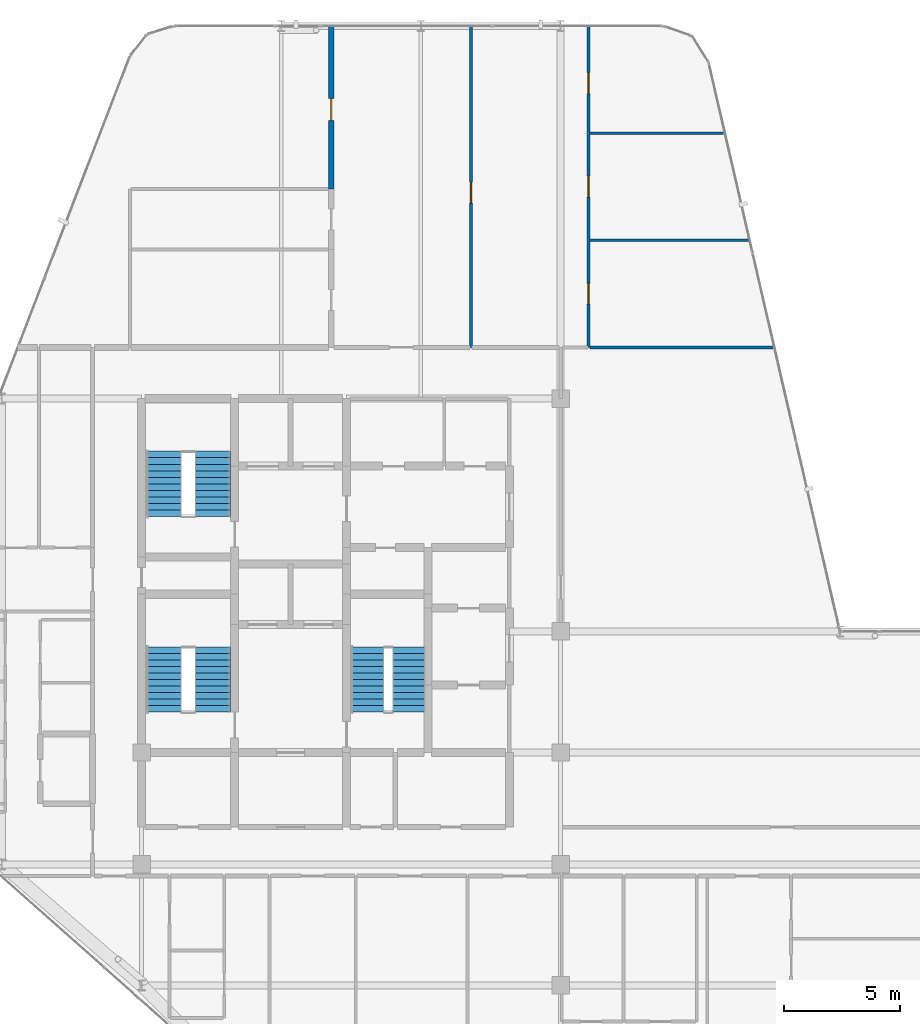
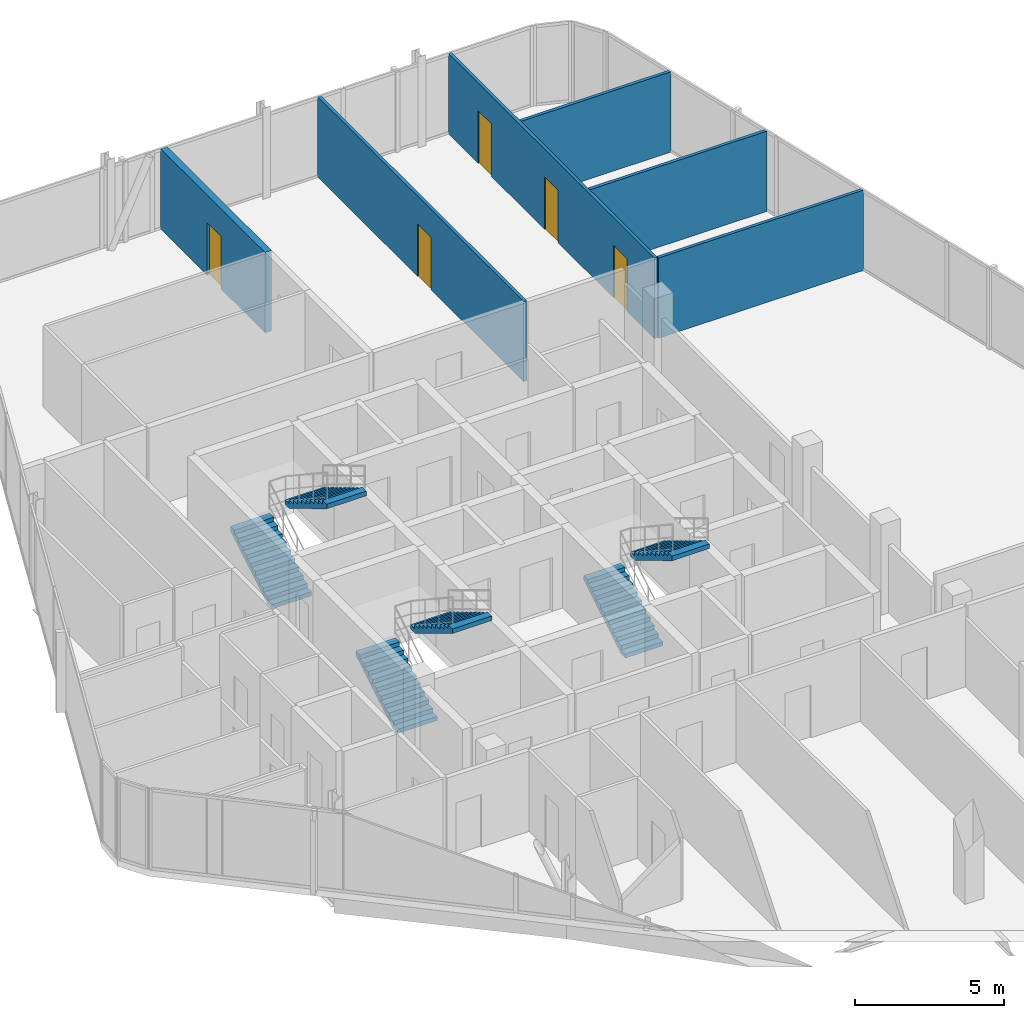
# One storey, part 27 of 28: 6 stair flights, 6 walls, 5 doors, 5 openings, 3 elements without a shape of their own.
"""IFC4 building model written with IfcOpenShell, lengths in metres."""

from ifc_helpers import new_model, si_unit, direction, frame, frame_2d, origin, place, context, subcontext, project, spatial, polyline, rectangle, outline, extrude, material, layer, layer_set, type_object, element, fill, aggregate, save


model = new_model("IFC4")

# Units and contexts
model_context = context("Model", 3, precision=1e-05, world=origin(), true_north=direction((0.0, 1.0)))
body_context = subcontext(model_context, "Body", "Model", "MODEL_VIEW")
ifc_project = project(units=[si_unit("LENGTHUNIT", "METRE"), si_unit("AREAUNIT", "SQUARE_METRE"), si_unit("VOLUMEUNIT", "CUBIC_METRE"), si_unit("PLANEANGLEUNIT", "RADIAN"), si_unit("MASSUNIT", "GRAM", prefix="KILO")], contexts=[model_context])

# Site, building, storey
site_placement = place(None, origin())
site = spatial("IfcSite", under=ifc_project, at=site_placement, CompositionType="ELEMENT")
building_placement = place(site_placement, origin())
building = spatial("IfcBuilding", under=site, at=building_placement, Name="Keshet Zoharim Tower", CompositionType="ELEMENT")
storey_placement = place(building_placement, frame((0.0, 0.0, 233.89990234375)))
storey = spatial("IfcBuildingStorey", under=building, at=storey_placement, Name="L58", CompositionType="ELEMENT", Elevation=233.89990234375)

# Wall, opening, door
ifc_material_1 = material(Name="Concrete C50/60", Category="concrete")
ifc_layer_1 = layer(ifc_material_1, 0.25)
ifc_layer_set_1 = layer_set([ifc_layer_1], Name="Concrete C50/60")
wall_type_1 = type_object("IfcWallType", Name="WL-MAMAD-250", PredefinedType="STANDARD", material=ifc_layer_set_1)
wall_1_placement = place(storey_placement, frame((23.14990234375, 46.89990234375, 0.0), z_axis=(0.0, 0.0, 1.0), x_axis=(0.0, 1.0, 0.0)))
wall_1 = element("IfcWall", 1, at=wall_1_placement, inside=storey, type_object=wall_type_1, Name="L58 Interior Wall 036", PredefinedType="STANDARD", context=body_context, shape_type="SweptSolid", body=[
    extrude(rectangle(XDim=6.989990234375, YDim=0.25, at=frame_2d((3.4951171875, 0.0))), origin(), (0.0, 0.0, 1.0), 3.280029296875),
])
opening_1_placement = place(wall_1_placement, frame((2.948974609375, 0.0, 0.0)))
opening_1 = element("IfcOpeningElement", 2, at=opening_1_placement, cuts=wall_1, Name="Opening D-F695", PredefinedType="OPENING", context=body_context, shape_type="SweptSolid", body=[
    extrude(rectangle(XDim=0.949951171875, YDim=2.14990234375, at=frame_2d((0.47509765625, 1.074951171875))), frame((0.0, 0.135009765625, 0.0), z_axis=(0.0, -1.0, 0.0), x_axis=(1.0, 0.0, 0.0)), (0.0, 0.0, 1.0), 0.27001953125),
])
ifc_material_2 = material(Name="Hardwood Timber", Category="wood")
door_type_1 = type_object("IfcDoorType", Name="DR-FD60-095", OperationType="NOTDEFINED", PredefinedType="DOOR", material=ifc_material_2)
door_1_placement = place(opening_1_placement, origin())
door_1 = element("IfcDoor", 3, at=door_1_placement, inside=storey, type_object=door_type_1, Name="Apartment 5805 Study and Shelter Room Door", OperationType="SINGLE_SWING_LEFT", OverallHeight=2.14990234375, OverallWidth=0.949951171875, PredefinedType="DOOR", context=body_context, shape_type="SweptSolid", body=[
    extrude(rectangle(XDim=0.949951171875, YDim=2.14990234375, at=frame_2d((0.47509765625, 1.074951171875))), frame((0.0, 0.02490234375, 0.0), z_axis=(0.0, -1.0, 0.0), x_axis=(1.0, 0.0, 0.0)), (0.0, 0.0, 1.0), 0.050048828125),
])
fill(opening_1, door_1)

ifc_material_3 = material(Name="Gypsum Plasterboard", Category="gypsum")
ifc_layer_2 = layer(ifc_material_3, 0.1201171875)
ifc_layer_set_2 = layer_set([ifc_layer_2], Name="Gypsum Plasterboard")
wall_type_2 = type_object("IfcWallType", Name="WL-PART-120", PredefinedType="PARTITIONING", material=ifc_layer_set_2)
wall_2_placement = place(storey_placement, frame((29.14990234375, 40.10009765625, 0.0), z_axis=(0.0, 0.0, 1.0), x_axis=(0.0, 1.0, 0.0)))
wall_2 = element("IfcWall", 4, at=wall_2_placement, inside=storey, type_object=wall_type_2, Name="L58 Interior Wall 052", PredefinedType="PARTITIONING", context=body_context, shape_type="SweptSolid", body=[
    extrude(rectangle(XDim=13.789794921875, YDim=0.1201171875, at=frame_2d((6.89501953125, 0.0))), origin(), (0.0, 0.0, 1.0), 3.280029296875),
])
opening_2_placement = place(wall_2_placement, frame((6.199951171875, 0.0, 0.0)))
opening_2 = element("IfcOpeningElement", 5, at=opening_2_placement, cuts=wall_2, Name="Opening D-IN90", PredefinedType="OPENING", context=body_context, shape_type="SweptSolid", body=[
    extrude(rectangle(XDim=0.89990234375, YDim=2.14990234375, at=frame_2d((0.449951171875, 1.074951171875))), frame((0.0, 0.070068359375, 0.0), z_axis=(0.0, -1.0, 0.0), x_axis=(1.0, 0.0, 0.0)), (0.0, 0.0, 1.0), 0.14013671875),
])
door_type_2 = type_object("IfcDoorType", Name="DR-INT-090", OperationType="NOTDEFINED", PredefinedType="DOOR", material=ifc_material_2)
door_2_placement = place(opening_2_placement, origin())
door_2 = element("IfcDoor", 6, at=door_2_placement, inside=storey, type_object=door_type_2, Name="Apartment 5805 Formal Dining Room Door", OperationType="SINGLE_SWING_RIGHT", OverallHeight=2.14990234375, OverallWidth=0.89990234375, PredefinedType="DOOR", context=body_context, shape_type="SweptSolid", body=[
    extrude(rectangle(XDim=0.89990234375, YDim=2.14990234375, at=frame_2d((0.449951171875, 1.074951171875))), frame((0.0, 0.02490234375, 0.0), z_axis=(0.0, -1.0, 0.0), x_axis=(1.0, 0.0, 0.0)), (0.0, 0.0, 1.0), 0.050048828125),
])
fill(opening_2, door_2)

# Wall, openings, doors
wall_3_placement = place(storey_placement, frame((34.199951171875, 40.10009765625, 0.0), z_axis=(0.0, 0.0, 1.0), x_axis=(0.0, 1.0, 0.0)))
wall_3 = element("IfcWall", 7, at=wall_3_placement, inside=storey, type_object=wall_type_2, Name="L58 Interior Wall 063", PredefinedType="PARTITIONING", context=body_context, shape_type="SweptSolid", body=[
    extrude(rectangle(XDim=13.789794921875, YDim=0.1201171875, at=frame_2d((6.89501953125, 0.0))), origin(), (0.0, 0.0, 1.0), 3.280029296875),
])
opening_3_placement = place(wall_3_placement, frame((1.85205078125, 0.0, 0.0)))
opening_3 = element("IfcOpeningElement", 8, at=opening_3_placement, cuts=wall_3, Name="Opening D-IN90", PredefinedType="OPENING", context=body_context, shape_type="SweptSolid", body=[
    extrude(rectangle(XDim=0.89990234375, YDim=2.14990234375, at=frame_2d((0.449951171875, 1.074951171875))), frame((0.0, 0.070068359375, 0.0), z_axis=(0.0, -1.0, 0.0), x_axis=(1.0, 0.0, 0.0)), (0.0, 0.0, 1.0), 0.14013671875),
])
opening_4_placement = place(wall_3_placement, frame((6.449951171875, 0.0, 0.0)))
opening_4 = element("IfcOpeningElement", 9, at=opening_4_placement, cuts=wall_3, Name="Opening D-IN90", PredefinedType="OPENING", context=body_context, shape_type="SweptSolid", body=[
    extrude(rectangle(XDim=0.89990234375, YDim=2.14990234375, at=frame_2d((0.449951171875, 1.074951171875))), frame((0.0, 0.070068359375, 0.0), z_axis=(0.0, -1.0, 0.0), x_axis=(1.0, 0.0, 0.0)), (0.0, 0.0, 1.0), 0.14013671875),
])
opening_5_placement = place(wall_3_placement, frame((10.89794921875, 0.0, 0.0)))
opening_5 = element("IfcOpeningElement", 10, at=opening_5_placement, cuts=wall_3, Name="Opening D-IN90", PredefinedType="OPENING", context=body_context, shape_type="SweptSolid", body=[
    extrude(rectangle(XDim=0.89990234375, YDim=2.14990234375, at=frame_2d((0.449951171875, 1.074951171875))), frame((0.0, 0.070068359375, 0.0), z_axis=(0.0, -1.0, 0.0), x_axis=(1.0, 0.0, 0.0)), (0.0, 0.0, 1.0), 0.14013671875),
])
door_3_placement = place(opening_3_placement, origin())
door_3 = element("IfcDoor", 11, at=door_3_placement, inside=storey, type_object=door_type_2, Name="Apartment 5805 Bedroom 1 Door", OperationType="SINGLE_SWING_RIGHT", OverallHeight=2.14990234375, OverallWidth=0.89990234375, PredefinedType="DOOR", context=body_context, shape_type="SweptSolid", body=[
    extrude(rectangle(XDim=0.89990234375, YDim=2.14990234375, at=frame_2d((0.449951171875, 1.074951171875))), frame((0.0, 0.02490234375, 0.0), z_axis=(0.0, -1.0, 0.0), x_axis=(1.0, 0.0, 0.0)), (0.0, 0.0, 1.0), 0.050048828125),
])
fill(opening_3, door_3)
door_4_placement = place(opening_4_placement, origin())
door_4 = element("IfcDoor", 12, at=door_4_placement, inside=storey, type_object=door_type_2, Name="Apartment 5805 Bedroom 2 Door", OperationType="SINGLE_SWING_LEFT", OverallHeight=2.14990234375, OverallWidth=0.89990234375, PredefinedType="DOOR", context=body_context, shape_type="SweptSolid", body=[
    extrude(rectangle(XDim=0.89990234375, YDim=2.14990234375, at=frame_2d((0.449951171875, 1.074951171875))), frame((0.0, 0.02490234375, 0.0), z_axis=(0.0, -1.0, 0.0), x_axis=(1.0, 0.0, 0.0)), (0.0, 0.0, 1.0), 0.050048828125),
])
fill(opening_4, door_4)
door_5_placement = place(opening_5_placement, origin())
door_5 = element("IfcDoor", 13, at=door_5_placement, inside=storey, type_object=door_type_2, Name="Apartment 5805 Bedroom 3 Door", OperationType="SINGLE_SWING_RIGHT", OverallHeight=2.14990234375, OverallWidth=0.89990234375, PredefinedType="DOOR", context=body_context, shape_type="SweptSolid", body=[
    extrude(rectangle(XDim=0.89990234375, YDim=2.14990234375, at=frame_2d((0.449951171875, 1.074951171875))), frame((0.0, 0.02490234375, 0.0), z_axis=(0.0, -1.0, 0.0), x_axis=(1.0, 0.0, 0.0)), (0.0, 0.0, 1.0), 0.050048828125),
])
fill(opening_5, door_5)

# Walls
wall_4_placement = place(storey_placement, frame((34.264892578125, 40.10009765625, 0.0), z_axis=(0.0, 0.0, 1.0), x_axis=(1.0, 0.0, 0.0)))
element("IfcWall", 14, at=wall_4_placement, inside=storey, type_object=wall_type_2, Name="L58 Interior Wall 153", PredefinedType="PARTITIONING", context=body_context, shape_type="SweptSolid", body=[
    extrude(rectangle(XDim=7.91015625, YDim=0.1201171875, at=frame_2d((3.955078125, 0.0))), origin(), (0.0, 0.0, 1.0), 3.280029296875),
])
wall_5_placement = place(storey_placement, frame((34.264892578125, 44.699951171875, 0.0), z_axis=(0.0, 0.0, 1.0), x_axis=(1.0, 0.0, 0.0)))
element("IfcWall", 15, at=wall_5_placement, inside=storey, type_object=wall_type_2, Name="L58 Interior Wall 155", PredefinedType="PARTITIONING", context=body_context, shape_type="SweptSolid", body=[
    extrude(rectangle(XDim=6.84814453125, YDim=0.1201171875, at=frame_2d((3.424072265625, 0.0))), origin(), (0.0, 0.0, 1.0), 3.280029296875),
])
wall_6_placement = place(storey_placement, frame((34.264892578125, 49.300048828125, 0.0), z_axis=(0.0, 0.0, 1.0), x_axis=(1.0, 0.0, 0.0)))
element("IfcWall", 16, at=wall_6_placement, inside=storey, type_object=wall_type_2, Name="L58 Interior Wall 157", PredefinedType="PARTITIONING", context=body_context, shape_type="SweptSolid", body=[
    extrude(rectangle(XDim=5.787109375, YDim=0.1201171875, at=frame_2d((2.8935546875, 0.0))), origin(), (0.0, 0.0, 1.0), 3.280029296875),
])

# Stair, stair flights
stair_type = type_object("IfcStairType", Name="STR-EXIT-135", PredefinedType="HALF_TURN_STAIR", material=ifc_material_1)
stair_1_placement = place(storey_placement, origin())
stair_1 = element("IfcStair", 17, at=stair_1_placement, inside=storey, type_object=stair_type, Name="L58 Enclosed Exit Stair ST-01", PredefinedType="HALF_TURN_STAIR")
stair_flight_type_1 = type_object("IfcStairFlightType", Name="FLT-PRE-135", PredefinedType="STRAIGHT", material=ifc_material_1)
stair_flight_1_placement = place(storey_placement, frame((15.945068359375, 24.43994140625, 0.0), z_axis=(0.0, 0.0, 1.0), x_axis=(0.0, 1.0, 0.0)))
stair_flight_1 = element("IfcStairFlight", 18, at=stair_flight_1_placement, type_object=stair_flight_type_1, Name="ST-01 flight 1", NumberOfRisers=11, NumberOfTreads=10, PredefinedType="STRAIGHT", RiserHeight=0.168182, TreadLength=0.28, context=body_context, shape_type="SweptSolid", body=[
    extrude(outline(polyline([(0.0, 0.0), (0.0, 0.168212890625), (0.280029296875, 0.168212890625), (0.280029296875, 0.33642578125), (0.56005859375, 0.33642578125), (0.56005859375, 0.504638671875), (0.840087890625, 0.504638671875), (0.840087890625, 0.672607421875), (1.1201171875, 0.672607421875), (1.1201171875, 0.8408203125), (1.39990234375, 0.8408203125), (1.39990234375, 1.009033203125), (1.679931640625, 1.009033203125), (1.679931640625, 1.17724609375), (1.9599609375, 1.17724609375), (1.9599609375, 1.345458984375), (2.239990234375, 1.345458984375), (2.239990234375, 1.513671875), (2.52001953125, 1.513671875), (2.52001953125, 1.681884765625), (2.800048828125, 1.681884765625), (2.800048828125, 1.85009765625), (2.800048828125, 1.495361328125), (0.310546875, 0.0), (0.0, 0.0)])), frame((0.0, 0.76513671875, 0.0), z_axis=(0.0, -1.0, 0.0), x_axis=(1.0, 0.0, 0.0)), (0.0, 0.0, 1.0), 1.530029296875),
])
stair_flight_2_placement = place(storey_placement, frame((18.054931640625, 27.239990234375, 1.85009765625), z_axis=(0.0, 0.0, 1.0), x_axis=(0.0, -1.0, 0.0)))
stair_flight_2 = element("IfcStairFlight", 19, at=stair_flight_2_placement, type_object=stair_flight_type_1, Name="ST-01 flight 2", NumberOfRisers=11, NumberOfTreads=10, PredefinedType="STRAIGHT", RiserHeight=0.168182, TreadLength=0.28, context=body_context, shape_type="SweptSolid", body=[
    extrude(outline(polyline([(0.0, 0.0), (0.0, 0.168212890625), (0.280029296875, 0.168212890625), (0.280029296875, 0.33642578125), (0.56005859375, 0.33642578125), (0.56005859375, 0.504638671875), (0.840087890625, 0.504638671875), (0.840087890625, 0.672607421875), (1.1201171875, 0.672607421875), (1.1201171875, 0.8408203125), (1.39990234375, 0.8408203125), (1.39990234375, 1.009033203125), (1.679931640625, 1.009033203125), (1.679931640625, 1.17724609375), (1.9599609375, 1.17724609375), (1.9599609375, 1.345458984375), (2.239990234375, 1.345458984375), (2.239990234375, 1.513671875), (2.52001953125, 1.513671875), (2.52001953125, 1.681884765625), (2.800048828125, 1.681884765625), (2.800048828125, 1.85009765625), (2.800048828125, 1.495361328125), (0.310546875, 0.0), (0.0, 0.0)])), frame((0.0, 0.76513671875, 0.0), z_axis=(0.0, -1.0, 0.0), x_axis=(1.0, 0.0, 0.0)), (0.0, 0.0, 1.0), 1.530029296875),
])
aggregate(stair_1, [stair_flight_1, stair_flight_2])

stair_2_placement = place(storey_placement, origin())
stair_2 = element("IfcStair", 20, at=stair_2_placement, inside=storey, type_object=stair_type, Name="L58 Enclosed Exit Stair ST-02", PredefinedType="HALF_TURN_STAIR")
stair_flight_3_placement = place(storey_placement, frame((15.945068359375, 32.840087890625, 0.0), z_axis=(0.0, 0.0, 1.0), x_axis=(0.0, 1.0, 0.0)))
stair_flight_3 = element("IfcStairFlight", 21, at=stair_flight_3_placement, type_object=stair_flight_type_1, Name="ST-02 flight 1", NumberOfRisers=11, NumberOfTreads=10, PredefinedType="STRAIGHT", RiserHeight=0.168182, TreadLength=0.28, context=body_context, shape_type="SweptSolid", body=[
    extrude(outline(polyline([(0.0, 0.0), (0.0, 0.168212890625), (0.280029296875, 0.168212890625), (0.280029296875, 0.33642578125), (0.56005859375, 0.33642578125), (0.56005859375, 0.504638671875), (0.840087890625, 0.504638671875), (0.840087890625, 0.672607421875), (1.1201171875, 0.672607421875), (1.1201171875, 0.8408203125), (1.39990234375, 0.8408203125), (1.39990234375, 1.009033203125), (1.679931640625, 1.009033203125), (1.679931640625, 1.17724609375), (1.9599609375, 1.17724609375), (1.9599609375, 1.345458984375), (2.239990234375, 1.345458984375), (2.239990234375, 1.513671875), (2.52001953125, 1.513671875), (2.52001953125, 1.681884765625), (2.800048828125, 1.681884765625), (2.800048828125, 1.85009765625), (2.800048828125, 1.495361328125), (0.310546875, 0.0), (0.0, 0.0)])), frame((0.0, 0.76513671875, 0.0), z_axis=(0.0, -1.0, 0.0), x_axis=(1.0, 0.0, 0.0)), (0.0, 0.0, 1.0), 1.530029296875),
])
stair_flight_4_placement = place(storey_placement, frame((18.054931640625, 35.639892578125, 1.85009765625), z_axis=(0.0, 0.0, 1.0), x_axis=(0.0, -1.0, 0.0)))
stair_flight_4 = element("IfcStairFlight", 22, at=stair_flight_4_placement, type_object=stair_flight_type_1, Name="ST-02 flight 2", NumberOfRisers=11, NumberOfTreads=10, PredefinedType="STRAIGHT", RiserHeight=0.168182, TreadLength=0.28, context=body_context, shape_type="SweptSolid", body=[
    extrude(outline(polyline([(0.0, 0.0), (0.0, 0.168212890625), (0.280029296875, 0.168212890625), (0.280029296875, 0.33642578125), (0.56005859375, 0.33642578125), (0.56005859375, 0.504638671875), (0.840087890625, 0.504638671875), (0.840087890625, 0.672607421875), (1.1201171875, 0.672607421875), (1.1201171875, 0.8408203125), (1.39990234375, 0.8408203125), (1.39990234375, 1.009033203125), (1.679931640625, 1.009033203125), (1.679931640625, 1.17724609375), (1.9599609375, 1.17724609375), (1.9599609375, 1.345458984375), (2.239990234375, 1.345458984375), (2.239990234375, 1.513671875), (2.52001953125, 1.513671875), (2.52001953125, 1.681884765625), (2.800048828125, 1.681884765625), (2.800048828125, 1.85009765625), (2.800048828125, 1.495361328125), (0.310546875, 0.0), (0.0, 0.0)])), frame((0.0, 0.76513671875, 0.0), z_axis=(0.0, -1.0, 0.0), x_axis=(1.0, 0.0, 0.0)), (0.0, 0.0, 1.0), 1.530029296875),
])
aggregate(stair_2, [stair_flight_3, stair_flight_4])

stair_3_placement = place(storey_placement, origin())
stair_3 = element("IfcStair", 23, at=stair_3_placement, inside=storey, type_object=stair_type, Name="L58 Enclosed Exit Stair ST-03", PredefinedType="HALF_TURN_STAIR")
stair_flight_type_2 = type_object("IfcStairFlightType", Name="FLT-PRE-144", PredefinedType="STRAIGHT", material=ifc_material_1)
stair_flight_5_placement = place(storey_placement, frame((24.699951171875, 24.43994140625, 0.0), z_axis=(0.0, 0.0, 1.0), x_axis=(0.0, 1.0, 0.0)))
stair_flight_5 = element("IfcStairFlight", 24, at=stair_flight_5_placement, type_object=stair_flight_type_2, Name="ST-03 flight 1", NumberOfRisers=11, NumberOfTreads=10, PredefinedType="STRAIGHT", RiserHeight=0.168182, TreadLength=0.28, context=body_context, shape_type="SweptSolid", body=[
    extrude(outline(polyline([(0.0, 0.0), (0.0, 0.168212890625), (0.280029296875, 0.168212890625), (0.280029296875, 0.33642578125), (0.56005859375, 0.33642578125), (0.56005859375, 0.504638671875), (0.840087890625, 0.504638671875), (0.840087890625, 0.672607421875), (1.1201171875, 0.672607421875), (1.1201171875, 0.8408203125), (1.39990234375, 0.8408203125), (1.39990234375, 1.009033203125), (1.679931640625, 1.009033203125), (1.679931640625, 1.17724609375), (1.9599609375, 1.17724609375), (1.9599609375, 1.345458984375), (2.239990234375, 1.345458984375), (2.239990234375, 1.513671875), (2.52001953125, 1.513671875), (2.52001953125, 1.681884765625), (2.800048828125, 1.681884765625), (2.800048828125, 1.85009765625), (2.800048828125, 1.495361328125), (0.310546875, 0.0), (0.0, 0.0)])), frame((0.0, 0.719970703125, 0.0), z_axis=(0.0, -1.0, 0.0), x_axis=(1.0, 0.0, 0.0)), (0.0, 0.0, 1.0), 1.43994140625),
])
stair_flight_6_placement = place(storey_placement, frame((26.5, 27.239990234375, 1.85009765625), z_axis=(0.0, 0.0, 1.0), x_axis=(0.0, -1.0, 0.0)))
stair_flight_6 = element("IfcStairFlight", 25, at=stair_flight_6_placement, type_object=stair_flight_type_2, Name="ST-03 flight 2", NumberOfRisers=11, NumberOfTreads=10, PredefinedType="STRAIGHT", RiserHeight=0.168182, TreadLength=0.28, context=body_context, shape_type="SweptSolid", body=[
    extrude(outline(polyline([(0.0, 0.0), (0.0, 0.168212890625), (0.280029296875, 0.168212890625), (0.280029296875, 0.33642578125), (0.56005859375, 0.33642578125), (0.56005859375, 0.504638671875), (0.840087890625, 0.504638671875), (0.840087890625, 0.672607421875), (1.1201171875, 0.672607421875), (1.1201171875, 0.8408203125), (1.39990234375, 0.8408203125), (1.39990234375, 1.009033203125), (1.679931640625, 1.009033203125), (1.679931640625, 1.17724609375), (1.9599609375, 1.17724609375), (1.9599609375, 1.345458984375), (2.239990234375, 1.345458984375), (2.239990234375, 1.513671875), (2.52001953125, 1.513671875), (2.52001953125, 1.681884765625), (2.800048828125, 1.681884765625), (2.800048828125, 1.85009765625), (2.800048828125, 1.495361328125), (0.310546875, 0.0), (0.0, 0.0)])), frame((0.0, 0.719970703125, 0.0), z_axis=(0.0, -1.0, 0.0), x_axis=(1.0, 0.0, 0.0)), (0.0, 0.0, 1.0), 1.43994140625),
])
aggregate(stair_3, [stair_flight_5, stair_flight_6])

save(model, "model.ifc")
